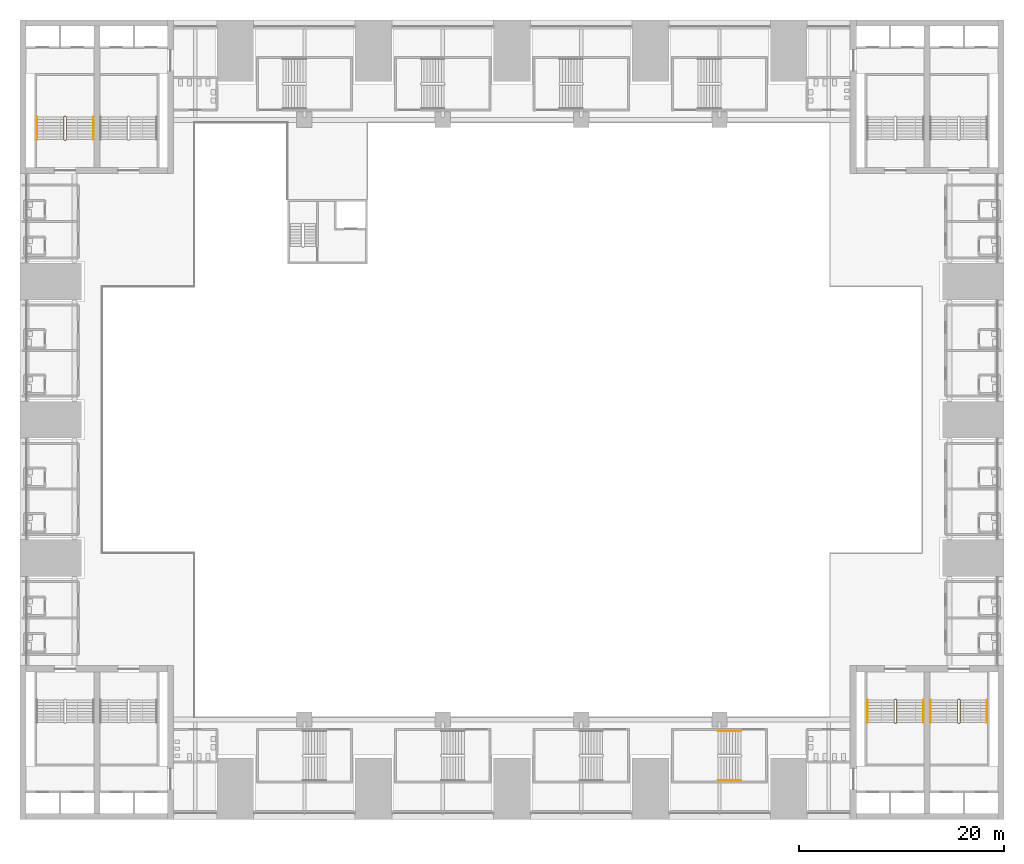
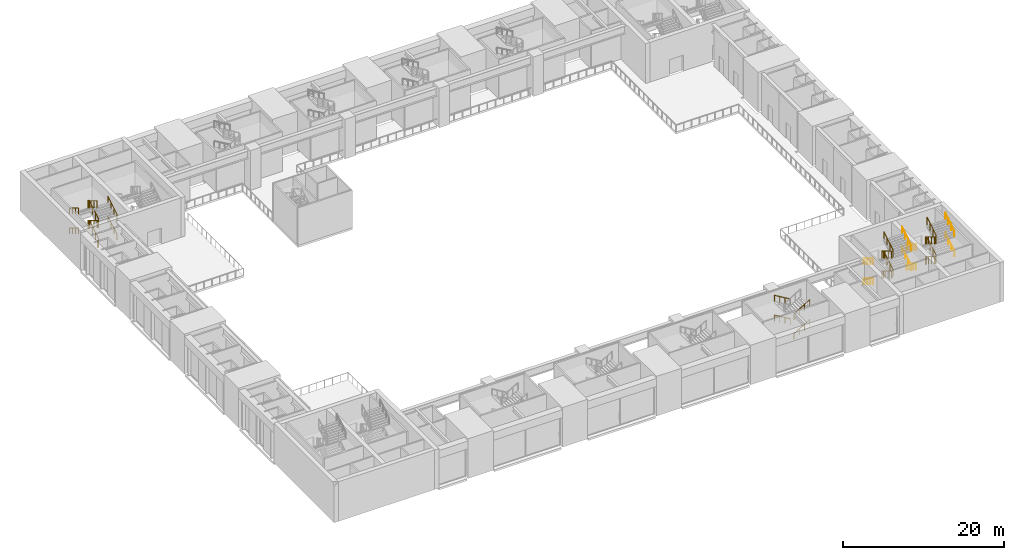
# One storey, part 40 of 43: 7 railings.
"""IFC4 building model written with IfcOpenShell, lengths in metres."""

import ifcopenshell
import ifcopenshell.guid

model = None  # the IFC model being written
_history = None  # IfcOwnerHistory: only IFC2X3 demands one
_inside = {}  # id of a spatial element -> (the spatial element, [elements in it])
_under = {}  # id of a project, library or spatial element -> (it, [spatial elements below it])
_declared = {}  # id of a project -> (the project, [libraries it declares])
_typed = {}  # id of a type object -> (the type object, [elements of that type])
_made_of = {}  # id of a material, layer set ... -> (it, [elements and type objects made of it])


def new_model(schema):
    """Start an empty IFC model of exactly this schema.

    Asked for "IFC4X3", IfcOpenShell would pick the latest addendum, in which some entities
    have other attributes; the version numbers below select the first issue.
    IFC2X3 requires an IfcOwnerHistory on every rooted entity: one is made here for all.
    """
    global model, _history
    if schema == "IFC4X3":
        model = ifcopenshell.file(schema_version=(4, 3, 0, 0))
    else:
        model = ifcopenshell.file(schema=schema)
    _inside.clear()
    _under.clear()
    _declared.clear()
    _typed.clear()
    _made_of.clear()
    _history = None
    if model.schema == "IFC2X3":
        org = make("IfcOrganization", Name="unknown")
        user = make(
            "IfcPersonAndOrganization",
            ThePerson=make("IfcPerson", FamilyName="unknown"),
            TheOrganization=org,
        )
        app = make(
            "IfcApplication",
            ApplicationDeveloper=org,
            Version="unknown",
            ApplicationFullName="unknown",
            ApplicationIdentifier="unknown",
        )
        _history = make(
            "IfcOwnerHistory",
            OwningUser=user,
            OwningApplication=app,
            ChangeAction="ADDED",
            CreationDate=0,
        )
    return model


def make(cls, **values):
    """One entity of the class cls with the attributes given. An attribute that is None is left unset."""
    return model.create_entity(
        cls, **{name: value for name, value in values.items() if value is not None}
    )


def rooted(cls, **values):
    """An entity with a GlobalId (a new one), such as an element, a storey or a relation."""
    return make(cls, GlobalId=ifcopenshell.guid.new(), OwnerHistory=_history, **values)


def si_unit(unit_type, name, prefix=None):
    """IfcSIUnit, for example si_unit("LENGTHUNIT", "METRE", prefix="MILLI")."""
    return make("IfcSIUnit", UnitType=unit_type, Prefix=prefix, Name=name)


def assignment(units):
    """IfcUnitAssignment: the units of a project."""
    return None if units is None else make("IfcUnitAssignment", Units=units)


def point(xyz):
    """IfcCartesianPoint."""
    return None if xyz is None else make("IfcCartesianPoint", Coordinates=xyz)


def direction(xyz):
    """IfcDirection."""
    return None if xyz is None else make("IfcDirection", DirectionRatios=xyz)


def frame(location, z_axis=None, x_axis=None):
    """IfcAxis2Placement3D, a coordinate frame: its origin and axes. An axis left out is left unset."""
    return make(
        "IfcAxis2Placement3D",
        Location=point(location),
        Axis=direction(z_axis),
        RefDirection=direction(x_axis),
    )


def frame_2d(location, x_axis=None):
    """IfcAxis2Placement2D, a coordinate frame in the plane: its origin and x axis."""
    return make(
        "IfcAxis2Placement2D", Location=point(location), RefDirection=direction(x_axis)
    )


def origin():
    """The frame at (0, 0, 0) with its axes left unset."""
    return frame((0.0, 0.0, 0.0))


def origin_2d():
    """The frame at (0, 0) in the plane with its x axis left unset."""
    return frame_2d((0.0, 0.0))


def place(relative_to, where):
    """IfcLocalPlacement: puts the frame where relative to a parent placement (None: the world)."""
    return make(
        "IfcLocalPlacement", PlacementRelTo=relative_to, RelativePlacement=where
    )


def context(
    kind, dimensions, precision=None, world=None, true_north=None, identifier=None
):
    """IfcGeometricRepresentationContext, for example the 3D "Model" context."""
    return make(
        "IfcGeometricRepresentationContext",
        ContextIdentifier=identifier,
        ContextType=kind,
        CoordinateSpaceDimension=dimensions,
        Precision=precision,
        WorldCoordinateSystem=world,
        TrueNorth=true_north,
    )


def subcontext(parent, identifier, kind, view, scale=None):
    """IfcGeometricRepresentationSubContext, for example "Body" below "Model"."""
    return make(
        "IfcGeometricRepresentationSubContext",
        ContextIdentifier=identifier,
        ContextType=kind,
        ParentContext=parent,
        TargetScale=scale,
        TargetView=view,
    )


def project(units=None, contexts=None):
    """IfcProject with its units and contexts."""
    return rooted(
        "IfcProject",
        Name="project",
        RepresentationContexts=contexts,
        UnitsInContext=assignment(units),
    )


def spatial(cls, under=None, at=None, **own):
    """A site, building, storey or space (cls), placed at a placement, below another one or the project."""
    s = rooted(cls, ObjectPlacement=at, **own)
    if under is not None:
        _under.setdefault(under.id(), (under, []))[1].append(s)
    return s


def profile(cls, at=None, kind="AREA", **sizes):
    """A parametric profile (cls). Its sizes go by their IFC names, for example OverallWidth=200.0."""
    return make(cls, ProfileType=kind, Position=at, **sizes)


def circle(**sizes):
    """IfcCircleProfileDef."""
    return profile("IfcCircleProfileDef", **sizes)


def extrude(swept, where, along, depth):
    """IfcExtrudedAreaSolid: the profile swept, set in the frame where, extruded along a direction by depth."""
    return make(
        "IfcExtrudedAreaSolid",
        SweptArea=swept,
        Position=where,
        ExtrudedDirection=direction(along),
        Depth=depth,
    )


def shape(context_of_items, identifier, shape_type, items):
    """IfcShapeRepresentation: the items that make up one representation, for example the "Body"."""
    return make(
        "IfcShapeRepresentation",
        ContextOfItems=context_of_items,
        RepresentationIdentifier=identifier,
        RepresentationType=shape_type,
        Items=items,
    )


def material(Name=None, Category=None):
    """IfcMaterial."""
    return make("IfcMaterial", Name=Name, Category=Category)


def made_of(thing, what):
    """Note that an element or type object is made of a material, layer set ...; save() writes the relation."""
    if what is not None:
        _made_of.setdefault(what.id(), (what, []))[1].append(thing)
    return thing


def type_object(cls, material=None, **own):
    """A type object (cls), such as IfcWallType, which elements share."""
    return made_of(rooted(cls, **own), material)


def element(
    cls,
    number,
    at=None,
    inside=None,
    cuts=None,
    type_object=None,
    material=None,
    context=None,
    identifier="Body",
    shape_type=None,
    held_by="IfcProductDefinitionShape",
    body=None,
    shapes=None,
    **own,
):
    """One element of the class cls, such as IfcWall. Its Tag is "e" and its number.

    at: its placement. inside: the storey or other place that contains it. cuts: it is an
    opening in that element (IfcRelVoidsElement). A single representation is given by context,
    identifier, shape_type and body (its items); several are given by shapes. held_by: the class
    of the entity that holds the representations. save() writes the other relations.
    """
    e = rooted(cls, Tag="e%d" % number, ObjectPlacement=at, **own)
    if body is not None:
        shapes = [shape(context, identifier, shape_type, body)]
    if shapes is not None:
        e.Representation = make(held_by, Representations=shapes)
    if inside is not None:
        _inside.setdefault(inside.id(), (inside, []))[1].append(e)
    if cuts is not None:
        rooted(
            "IfcRelVoidsElement", RelatingBuildingElement=cuts, RelatedOpeningElement=e
        )
    if type_object is not None:
        _typed.setdefault(type_object.id(), (type_object, []))[1].append(e)
    return made_of(e, material)


def aggregate(whole, parts):
    """IfcRelAggregates: a whole, such as a stair, and the parts it consists of."""
    return rooted("IfcRelAggregates", RelatingObject=whole, RelatedObjects=parts)


def save(model, path):
    """Write the relations noted so far, then the file.

    IfcRelAggregates (storeys below a building ...), IfcRelContainedInSpatialStructure (elements
    in a storey), IfcRelDefinesByType, IfcRelAssociatesMaterial and IfcRelDeclares: one each for
    every whole, place, type object, material and project.
    """
    for whole, parts in _under.values():
        aggregate(whole, parts)
    for where, things in _inside.values():
        rooted(
            "IfcRelContainedInSpatialStructure",
            RelatedElements=things,
            RelatingStructure=where,
        )
    for kind, things in _typed.values():
        rooted("IfcRelDefinesByType", RelatedObjects=things, RelatingType=kind)
    for what, things in _made_of.values():
        rooted("IfcRelAssociatesMaterial", RelatedObjects=things, RelatingMaterial=what)
    for by, libraries in _declared.values():
        rooted("IfcRelDeclares", RelatingContext=by, RelatedDefinitions=libraries)
    model.write(path)


model = new_model("IFC4")

# Units and contexts
model_context = context("Model", 3, precision=1e-05, world=origin(), true_north=direction((0.0, 1.0)))
body_context = subcontext(model_context, "Body", "Model", "MODEL_VIEW")
ifc_project = project(units=[si_unit("LENGTHUNIT", "METRE"), si_unit("AREAUNIT", "SQUARE_METRE"), si_unit("VOLUMEUNIT", "CUBIC_METRE"), si_unit("PLANEANGLEUNIT", "RADIAN"), si_unit("MASSUNIT", "GRAM", prefix="KILO")], contexts=[model_context])

# Site, building, storey
site_placement = place(None, origin())
site = spatial("IfcSite", under=ifc_project, at=site_placement, CompositionType="ELEMENT")
building_placement = place(site_placement, origin())
building = spatial("IfcBuilding", under=site, at=building_placement, Name="Corbelhall Arena Tower", CompositionType="ELEMENT")
storey_placement = place(building_placement, frame((0.0, 0.0, 25.0)))
storey = spatial("IfcBuildingStorey", under=building, at=storey_placement, Name="L03", CompositionType="ELEMENT", Elevation=25.0)

# Railings
ifc_material = material(Name="Stainless steel A4", Category="steel")
railing_type_1 = type_object("IfcRailingType", Name="AR-STAIR-GUARD", PredefinedType="GUARDRAIL", material=ifc_material)
railing_1_placement = place(storey_placement, frame((-43.469970703125, 27.320068359375, 0.166748046875)))
element("IfcRailing", 1, at=railing_1_placement, inside=storey, type_object=railing_type_1, Name="L03 AS4 stair guards", PredefinedType="GUARDRAIL", context=body_context, shape_type="SweptSolid", body=[
    extrude(circle(Radius=0.02392578125, at=origin_2d()), frame((0.0, 0.0, 1.076171875), z_axis=(0.0, 0.859305625298, 0.511462454469), x_axis=(-1.0, 0.0, 0.0)), (0.0, 0.0, 1.0), 2.606689453125),
    extrude(circle(Radius=0.02392578125, at=origin_2d()), frame((-0.050048828125, 2.2900390625, 2.4091796875), z_axis=(-1.0, 0.0, 0.0), x_axis=(0.0, -1.0, 0.0)), (0.0, 0.0, 1.0), 0.14990234375),
    extrude(circle(Radius=0.02392578125, at=origin_2d()), frame((-0.25, 2.239990234375, 2.576171875), z_axis=(0.0, -0.859305625298, 0.511462454469), x_axis=(1.0, 0.0, 0.0)), (0.0, 0.0, 1.0), 2.606689453125),
    extrude(circle(Radius=0.02392578125, at=origin_2d()), frame((-0.050048828125, -0.050048828125, 3.9091796875), z_axis=(-1.0, 0.0, 0.0), x_axis=(0.0, -1.0, 0.0)), (0.0, 0.0, 1.0), 0.14990234375),
    extrude(circle(Radius=0.02392578125, at=origin_2d()), frame((0.0, 0.0, 4.076171875), z_axis=(0.0, 0.859305625298, 0.511462454469), x_axis=(-1.0, 0.0, 0.0)), (0.0, 0.0, 1.0), 2.606689453125),
    extrude(circle(Radius=0.02392578125, at=origin_2d()), frame((-0.050048828125, 2.2900390625, 5.4091796875), z_axis=(-1.0, 0.0, 0.0), x_axis=(0.0, -1.0, 0.0)), (0.0, 0.0, 1.0), 0.14990234375),
    extrude(circle(Radius=0.02392578125, at=origin_2d()), frame((-0.25, 2.239990234375, 5.576171875), z_axis=(0.0, -0.859305625298, 0.511462454469), x_axis=(1.0, 0.0, 0.0)), (0.0, 0.0, 1.0), 2.606689453125),
    extrude(circle(Radius=0.02392578125, at=origin_2d()), frame((-0.050048828125, -0.050048828125, 0.9091796875), z_axis=(-1.0, 0.0, 0.0), x_axis=(0.0, -1.0, 0.0)), (0.0, 0.0, 1.0), 0.14990234375),
    extrude(circle(Radius=0.02099609375, at=origin_2d()), origin(), (0.0, 0.0, 1.0), 1.052001953125),
    extrude(circle(Radius=0.02099609375, at=origin_2d()), frame((0.0, 0.74658203125, 0.4443359375)), (0.0, 0.0, 1.0), 1.052001953125),
    extrude(circle(Radius=0.02099609375, at=origin_2d()), frame((0.0, 1.493408203125, 0.888916015625)), (0.0, 0.0, 1.0), 1.052001953125),
    extrude(circle(Radius=0.02099609375, at=origin_2d()), frame((0.0, 2.239990234375, 1.333251953125)), (0.0, 0.0, 1.0), 1.052001953125),
    extrude(circle(Radius=0.02099609375, at=origin_2d()), frame((-0.050048828125, 2.2900390625, 1.333251953125)), (0.0, 0.0, 1.0), 1.052001953125),
    extrude(circle(Radius=0.02099609375, at=origin_2d()), frame((-0.199951171875, 2.2900390625, 1.333251953125)), (0.0, 0.0, 1.0), 1.052001953125),
    extrude(circle(Radius=0.02099609375, at=origin_2d()), frame((-0.25, 2.239990234375, 1.5)), (0.0, 0.0, 1.0), 1.052001953125),
    extrude(circle(Radius=0.02099609375, at=origin_2d()), frame((-0.25, 1.493408203125, 1.9443359375)), (0.0, 0.0, 1.0), 1.052001953125),
    extrude(circle(Radius=0.02099609375, at=origin_2d()), frame((-0.25, 0.74658203125, 2.388916015625)), (0.0, 0.0, 1.0), 1.052001953125),
    extrude(circle(Radius=0.02099609375, at=origin_2d()), frame((-0.25, 0.0, 2.833251953125)), (0.0, 0.0, 1.0), 1.052001953125),
    extrude(circle(Radius=0.02099609375, at=origin_2d()), frame((-0.050048828125, -0.050048828125, 2.833251953125)), (0.0, 0.0, 1.0), 1.052001953125),
    extrude(circle(Radius=0.02099609375, at=origin_2d()), frame((-0.199951171875, -0.050048828125, 2.833251953125)), (0.0, 0.0, 1.0), 1.052001953125),
    extrude(circle(Radius=0.02099609375, at=origin_2d()), frame((0.0, 0.0, 3.0)), (0.0, 0.0, 1.0), 1.052001953125),
    extrude(circle(Radius=0.02099609375, at=origin_2d()), frame((0.0, 0.74658203125, 3.4443359375)), (0.0, 0.0, 1.0), 1.052001953125),
    extrude(circle(Radius=0.02099609375, at=origin_2d()), frame((0.0, 1.493408203125, 3.888916015625)), (0.0, 0.0, 1.0), 1.052001953125),
    extrude(circle(Radius=0.02099609375, at=origin_2d()), frame((0.0, 2.239990234375, 4.333251953125)), (0.0, 0.0, 1.0), 1.052001953125),
    extrude(circle(Radius=0.02099609375, at=origin_2d()), frame((-0.050048828125, 2.2900390625, 4.333251953125)), (0.0, 0.0, 1.0), 1.052001953125),
    extrude(circle(Radius=0.02099609375, at=origin_2d()), frame((-0.199951171875, 2.2900390625, 4.333251953125)), (0.0, 0.0, 1.0), 1.052001953125),
    extrude(circle(Radius=0.02099609375, at=origin_2d()), frame((-0.25, 2.239990234375, 4.5)), (0.0, 0.0, 1.0), 1.052001953125),
    extrude(circle(Radius=0.02099609375, at=origin_2d()), frame((-0.25, 1.493408203125, 4.9443359375)), (0.0, 0.0, 1.0), 1.052001953125),
    extrude(circle(Radius=0.02099609375, at=origin_2d()), frame((-0.25, 0.74658203125, 5.388916015625)), (0.0, 0.0, 1.0), 1.052001953125),
    extrude(circle(Radius=0.02099609375, at=origin_2d()), frame((-0.25, 0.0, 5.833251953125)), (0.0, 0.0, 1.0), 1.052001953125),
    extrude(circle(Radius=0.02099609375, at=origin_2d()), frame((-0.050048828125, -0.050048828125, -0.166748046875)), (0.0, 0.0, 1.0), 1.052001953125),
    extrude(circle(Radius=0.02099609375, at=origin_2d()), frame((-0.199951171875, -0.050048828125, -0.166748046875)), (0.0, 0.0, 1.0), 1.052001953125),
])
railing_2_placement = place(storey_placement, frame((37.280029296875, -27.320068359375, 0.166748046875)))
element("IfcRailing", 2, at=railing_2_placement, inside=storey, type_object=railing_type_1, Name="L03 AS5 stair guards", PredefinedType="GUARDRAIL", context=body_context, shape_type="SweptSolid", body=[
    extrude(circle(Radius=0.02392578125, at=origin_2d()), frame((0.0, 0.0, 1.076171875), z_axis=(0.0, -0.859305625298, 0.511462454469), x_axis=(1.0, 0.0, 0.0)), (0.0, 0.0, 1.0), 2.606689453125),
    extrude(circle(Radius=0.02392578125, at=origin_2d()), frame((0.050048828125, -2.2900390625, 2.4091796875), z_axis=(1.0, 0.0, 0.0), x_axis=(0.0, 1.0, 0.0)), (0.0, 0.0, 1.0), 0.14990234375),
    extrude(circle(Radius=0.02392578125, at=origin_2d()), frame((0.25, -2.239990234375, 2.576171875), z_axis=(0.0, 0.859305625298, 0.511462454469), x_axis=(-1.0, 0.0, 0.0)), (0.0, 0.0, 1.0), 2.606689453125),
    extrude(circle(Radius=0.02392578125, at=origin_2d()), frame((0.050048828125, 0.050048828125, 3.9091796875), z_axis=(1.0, 0.0, 0.0), x_axis=(0.0, 1.0, 0.0)), (0.0, 0.0, 1.0), 0.14990234375),
    extrude(circle(Radius=0.02392578125, at=origin_2d()), frame((0.0, 0.0, 4.076171875), z_axis=(0.0, -0.859305625298, 0.511462454469), x_axis=(1.0, 0.0, 0.0)), (0.0, 0.0, 1.0), 2.606689453125),
    extrude(circle(Radius=0.02392578125, at=origin_2d()), frame((0.050048828125, -2.2900390625, 5.4091796875), z_axis=(1.0, 0.0, 0.0), x_axis=(0.0, 1.0, 0.0)), (0.0, 0.0, 1.0), 0.14990234375),
    extrude(circle(Radius=0.02392578125, at=origin_2d()), frame((0.25, -2.239990234375, 5.576171875), z_axis=(0.0, 0.859305625298, 0.511462454469), x_axis=(-1.0, 0.0, 0.0)), (0.0, 0.0, 1.0), 2.606689453125),
    extrude(circle(Radius=0.02392578125, at=origin_2d()), frame((0.050048828125, 0.050048828125, 0.9091796875), z_axis=(1.0, 0.0, 0.0), x_axis=(0.0, 1.0, 0.0)), (0.0, 0.0, 1.0), 0.14990234375),
    extrude(circle(Radius=0.02099609375, at=origin_2d()), origin(), (0.0, 0.0, 1.0), 1.052001953125),
    extrude(circle(Radius=0.02099609375, at=origin_2d()), frame((0.0, -0.74658203125, 0.4443359375)), (0.0, 0.0, 1.0), 1.052001953125),
    extrude(circle(Radius=0.02099609375, at=origin_2d()), frame((0.0, -1.493408203125, 0.888916015625)), (0.0, 0.0, 1.0), 1.052001953125),
    extrude(circle(Radius=0.02099609375, at=origin_2d()), frame((0.0, -2.239990234375, 1.333251953125)), (0.0, 0.0, 1.0), 1.052001953125),
    extrude(circle(Radius=0.02099609375, at=origin_2d()), frame((0.050048828125, -2.2900390625, 1.333251953125)), (0.0, 0.0, 1.0), 1.052001953125),
    extrude(circle(Radius=0.02099609375, at=origin_2d()), frame((0.199951171875, -2.2900390625, 1.333251953125)), (0.0, 0.0, 1.0), 1.052001953125),
    extrude(circle(Radius=0.02099609375, at=origin_2d()), frame((0.25, -2.239990234375, 1.5)), (0.0, 0.0, 1.0), 1.052001953125),
    extrude(circle(Radius=0.02099609375, at=origin_2d()), frame((0.25, -1.493408203125, 1.9443359375)), (0.0, 0.0, 1.0), 1.052001953125),
    extrude(circle(Radius=0.02099609375, at=origin_2d()), frame((0.25, -0.74658203125, 2.388916015625)), (0.0, 0.0, 1.0), 1.052001953125),
    extrude(circle(Radius=0.02099609375, at=origin_2d()), frame((0.25, 0.0, 2.833251953125)), (0.0, 0.0, 1.0), 1.052001953125),
    extrude(circle(Radius=0.02099609375, at=origin_2d()), frame((0.050048828125, 0.050048828125, 2.833251953125)), (0.0, 0.0, 1.0), 1.052001953125),
    extrude(circle(Radius=0.02099609375, at=origin_2d()), frame((0.199951171875, 0.050048828125, 2.833251953125)), (0.0, 0.0, 1.0), 1.052001953125),
    extrude(circle(Radius=0.02099609375, at=origin_2d()), frame((0.0, 0.0, 3.0)), (0.0, 0.0, 1.0), 1.052001953125),
    extrude(circle(Radius=0.02099609375, at=origin_2d()), frame((0.0, -0.74658203125, 3.4443359375)), (0.0, 0.0, 1.0), 1.052001953125),
    extrude(circle(Radius=0.02099609375, at=origin_2d()), frame((0.0, -1.493408203125, 3.888916015625)), (0.0, 0.0, 1.0), 1.052001953125),
    extrude(circle(Radius=0.02099609375, at=origin_2d()), frame((0.0, -2.239990234375, 4.333251953125)), (0.0, 0.0, 1.0), 1.052001953125),
    extrude(circle(Radius=0.02099609375, at=origin_2d()), frame((0.050048828125, -2.2900390625, 4.333251953125)), (0.0, 0.0, 1.0), 1.052001953125),
    extrude(circle(Radius=0.02099609375, at=origin_2d()), frame((0.199951171875, -2.2900390625, 4.333251953125)), (0.0, 0.0, 1.0), 1.052001953125),
    extrude(circle(Radius=0.02099609375, at=origin_2d()), frame((0.25, -2.239990234375, 4.5)), (0.0, 0.0, 1.0), 1.052001953125),
    extrude(circle(Radius=0.02099609375, at=origin_2d()), frame((0.25, -1.493408203125, 4.9443359375)), (0.0, 0.0, 1.0), 1.052001953125),
    extrude(circle(Radius=0.02099609375, at=origin_2d()), frame((0.25, -0.74658203125, 5.388916015625)), (0.0, 0.0, 1.0), 1.052001953125),
    extrude(circle(Radius=0.02099609375, at=origin_2d()), frame((0.25, 0.0, 5.833251953125)), (0.0, 0.0, 1.0), 1.052001953125),
    extrude(circle(Radius=0.02099609375, at=origin_2d()), frame((0.050048828125, 0.050048828125, -0.166748046875)), (0.0, 0.0, 1.0), 1.052001953125),
    extrude(circle(Radius=0.02099609375, at=origin_2d()), frame((0.199951171875, 0.050048828125, -0.166748046875)), (0.0, 0.0, 1.0), 1.052001953125),
])
railing_3_placement = place(storey_placement, frame((43.469970703125, -27.320068359375, 0.166748046875)))
element("IfcRailing", 3, at=railing_3_placement, inside=storey, type_object=railing_type_1, Name="L03 AS6 stair guards", PredefinedType="GUARDRAIL", context=body_context, shape_type="SweptSolid", body=[
    extrude(circle(Radius=0.02392578125, at=origin_2d()), frame((0.0, 0.0, 1.076171875), z_axis=(0.0, -0.859305625298, 0.511462454469), x_axis=(1.0, 0.0, 0.0)), (0.0, 0.0, 1.0), 2.606689453125),
    extrude(circle(Radius=0.02392578125, at=origin_2d()), frame((0.050048828125, -2.2900390625, 2.4091796875), z_axis=(1.0, 0.0, 0.0), x_axis=(0.0, 1.0, 0.0)), (0.0, 0.0, 1.0), 0.14990234375),
    extrude(circle(Radius=0.02392578125, at=origin_2d()), frame((0.25, -2.239990234375, 2.576171875), z_axis=(0.0, 0.859305625298, 0.511462454469), x_axis=(-1.0, 0.0, 0.0)), (0.0, 0.0, 1.0), 2.606689453125),
    extrude(circle(Radius=0.02392578125, at=origin_2d()), frame((0.050048828125, 0.050048828125, 3.9091796875), z_axis=(1.0, 0.0, 0.0), x_axis=(0.0, 1.0, 0.0)), (0.0, 0.0, 1.0), 0.14990234375),
    extrude(circle(Radius=0.02392578125, at=origin_2d()), frame((0.0, 0.0, 4.076171875), z_axis=(0.0, -0.859305625298, 0.511462454469), x_axis=(1.0, 0.0, 0.0)), (0.0, 0.0, 1.0), 2.606689453125),
    extrude(circle(Radius=0.02392578125, at=origin_2d()), frame((0.050048828125, -2.2900390625, 5.4091796875), z_axis=(1.0, 0.0, 0.0), x_axis=(0.0, 1.0, 0.0)), (0.0, 0.0, 1.0), 0.14990234375),
    extrude(circle(Radius=0.02392578125, at=origin_2d()), frame((0.25, -2.239990234375, 5.576171875), z_axis=(0.0, 0.859305625298, 0.511462454469), x_axis=(-1.0, 0.0, 0.0)), (0.0, 0.0, 1.0), 2.606689453125),
    extrude(circle(Radius=0.02392578125, at=origin_2d()), frame((0.050048828125, 0.050048828125, 0.9091796875), z_axis=(1.0, 0.0, 0.0), x_axis=(0.0, 1.0, 0.0)), (0.0, 0.0, 1.0), 0.14990234375),
    extrude(circle(Radius=0.02099609375, at=origin_2d()), origin(), (0.0, 0.0, 1.0), 1.052001953125),
    extrude(circle(Radius=0.02099609375, at=origin_2d()), frame((0.0, -0.74658203125, 0.4443359375)), (0.0, 0.0, 1.0), 1.052001953125),
    extrude(circle(Radius=0.02099609375, at=origin_2d()), frame((0.0, -1.493408203125, 0.888916015625)), (0.0, 0.0, 1.0), 1.052001953125),
    extrude(circle(Radius=0.02099609375, at=origin_2d()), frame((0.0, -2.239990234375, 1.333251953125)), (0.0, 0.0, 1.0), 1.052001953125),
    extrude(circle(Radius=0.02099609375, at=origin_2d()), frame((0.050048828125, -2.2900390625, 1.333251953125)), (0.0, 0.0, 1.0), 1.052001953125),
    extrude(circle(Radius=0.02099609375, at=origin_2d()), frame((0.199951171875, -2.2900390625, 1.333251953125)), (0.0, 0.0, 1.0), 1.052001953125),
    extrude(circle(Radius=0.02099609375, at=origin_2d()), frame((0.25, -2.239990234375, 1.5)), (0.0, 0.0, 1.0), 1.052001953125),
    extrude(circle(Radius=0.02099609375, at=origin_2d()), frame((0.25, -1.493408203125, 1.9443359375)), (0.0, 0.0, 1.0), 1.052001953125),
    extrude(circle(Radius=0.02099609375, at=origin_2d()), frame((0.25, -0.74658203125, 2.388916015625)), (0.0, 0.0, 1.0), 1.052001953125),
    extrude(circle(Radius=0.02099609375, at=origin_2d()), frame((0.25, 0.0, 2.833251953125)), (0.0, 0.0, 1.0), 1.052001953125),
    extrude(circle(Radius=0.02099609375, at=origin_2d()), frame((0.050048828125, 0.050048828125, 2.833251953125)), (0.0, 0.0, 1.0), 1.052001953125),
    extrude(circle(Radius=0.02099609375, at=origin_2d()), frame((0.199951171875, 0.050048828125, 2.833251953125)), (0.0, 0.0, 1.0), 1.052001953125),
    extrude(circle(Radius=0.02099609375, at=origin_2d()), frame((0.0, 0.0, 3.0)), (0.0, 0.0, 1.0), 1.052001953125),
    extrude(circle(Radius=0.02099609375, at=origin_2d()), frame((0.0, -0.74658203125, 3.4443359375)), (0.0, 0.0, 1.0), 1.052001953125),
    extrude(circle(Radius=0.02099609375, at=origin_2d()), frame((0.0, -1.493408203125, 3.888916015625)), (0.0, 0.0, 1.0), 1.052001953125),
    extrude(circle(Radius=0.02099609375, at=origin_2d()), frame((0.0, -2.239990234375, 4.333251953125)), (0.0, 0.0, 1.0), 1.052001953125),
    extrude(circle(Radius=0.02099609375, at=origin_2d()), frame((0.050048828125, -2.2900390625, 4.333251953125)), (0.0, 0.0, 1.0), 1.052001953125),
    extrude(circle(Radius=0.02099609375, at=origin_2d()), frame((0.199951171875, -2.2900390625, 4.333251953125)), (0.0, 0.0, 1.0), 1.052001953125),
    extrude(circle(Radius=0.02099609375, at=origin_2d()), frame((0.25, -2.239990234375, 4.5)), (0.0, 0.0, 1.0), 1.052001953125),
    extrude(circle(Radius=0.02099609375, at=origin_2d()), frame((0.25, -1.493408203125, 4.9443359375)), (0.0, 0.0, 1.0), 1.052001953125),
    extrude(circle(Radius=0.02099609375, at=origin_2d()), frame((0.25, -0.74658203125, 5.388916015625)), (0.0, 0.0, 1.0), 1.052001953125),
    extrude(circle(Radius=0.02099609375, at=origin_2d()), frame((0.25, 0.0, 5.833251953125)), (0.0, 0.0, 1.0), 1.052001953125),
    extrude(circle(Radius=0.02099609375, at=origin_2d()), frame((0.050048828125, 0.050048828125, -0.166748046875)), (0.0, 0.0, 1.0), 1.052001953125),
    extrude(circle(Radius=0.02099609375, at=origin_2d()), frame((0.199951171875, 0.050048828125, -0.166748046875)), (0.0, 0.0, 1.0), 1.052001953125),
])
railing_type_2 = type_object("IfcRailingType", Name="AR-STAIR-HANDRAIL", PredefinedType="HANDRAIL", material=ifc_material)
railing_4_placement = place(storey_placement, frame((22.35009765625, -30.35009765625, 0.166748046875)))
element("IfcRailing", 4, at=railing_4_placement, inside=storey, type_object=railing_type_2, Name="L03 AS16 stair handrails", PredefinedType="HANDRAIL", context=body_context, shape_type="SweptSolid", body=[
    extrude(circle(Radius=0.02392578125, at=origin_2d()), frame((0.0, 0.0, 0.8759765625), z_axis=(-0.859305625298, 0.0, 0.511462454469), x_axis=(0.0, -1.0, 0.0)), (0.0, 0.0, 1.0), 2.606689453125),
    extrude(circle(Radius=0.02392578125, at=origin_2d()), frame((-2.239990234375, -4.849853515625, 2.3759765625), z_axis=(0.859305625298, 0.0, 0.511462454469), x_axis=(0.0, 1.0, 0.0)), (0.0, 0.0, 1.0), 2.606689453125),
    extrude(circle(Radius=0.02392578125, at=origin_2d()), frame((0.0, 0.0, 3.8759765625), z_axis=(-0.859305625298, 0.0, 0.511462454469), x_axis=(0.0, -1.0, 0.0)), (0.0, 0.0, 1.0), 2.606689453125),
    extrude(circle(Radius=0.02392578125, at=origin_2d()), frame((-2.239990234375, -4.849853515625, 5.3759765625), z_axis=(0.859305625298, 0.0, 0.511462454469), x_axis=(0.0, 1.0, 0.0)), (0.0, 0.0, 1.0), 2.606689453125),
    extrude(circle(Radius=0.02099609375, at=origin_2d()), origin(), (0.0, 0.0, 1.0), 0.851806640625),
    extrude(circle(Radius=0.02099609375, at=origin_2d()), frame((-0.74658203125, 0.0, 0.4443359375)), (0.0, 0.0, 1.0), 0.851806640625),
    extrude(circle(Radius=0.02099609375, at=origin_2d()), frame((-1.493408203125, 0.0, 0.888916015625)), (0.0, 0.0, 1.0), 0.851806640625),
    extrude(circle(Radius=0.02099609375, at=origin_2d()), frame((-2.239990234375, 0.0, 1.333251953125)), (0.0, 0.0, 1.0), 0.851806640625),
    extrude(circle(Radius=0.02099609375, at=origin_2d()), frame((-2.239990234375, -4.849853515625, 1.5)), (0.0, 0.0, 1.0), 0.851806640625),
    extrude(circle(Radius=0.02099609375, at=origin_2d()), frame((-1.493408203125, -4.849853515625, 1.9443359375)), (0.0, 0.0, 1.0), 0.851806640625),
    extrude(circle(Radius=0.02099609375, at=origin_2d()), frame((-0.74658203125, -4.849853515625, 2.388916015625)), (0.0, 0.0, 1.0), 0.851806640625),
    extrude(circle(Radius=0.02099609375, at=origin_2d()), frame((0.0, -4.849853515625, 2.833251953125)), (0.0, 0.0, 1.0), 0.851806640625),
    extrude(circle(Radius=0.02099609375, at=origin_2d()), frame((0.0, 0.0, 3.0)), (0.0, 0.0, 1.0), 0.851806640625),
    extrude(circle(Radius=0.02099609375, at=origin_2d()), frame((-0.74658203125, 0.0, 3.4443359375)), (0.0, 0.0, 1.0), 0.851806640625),
    extrude(circle(Radius=0.02099609375, at=origin_2d()), frame((-1.493408203125, 0.0, 3.888916015625)), (0.0, 0.0, 1.0), 0.851806640625),
    extrude(circle(Radius=0.02099609375, at=origin_2d()), frame((-2.239990234375, 0.0, 4.333251953125)), (0.0, 0.0, 1.0), 0.851806640625),
    extrude(circle(Radius=0.02099609375, at=origin_2d()), frame((-2.239990234375, -4.849853515625, 4.5)), (0.0, 0.0, 1.0), 0.851806640625),
    extrude(circle(Radius=0.02099609375, at=origin_2d()), frame((-1.493408203125, -4.849853515625, 4.9443359375)), (0.0, 0.0, 1.0), 0.851806640625),
    extrude(circle(Radius=0.02099609375, at=origin_2d()), frame((-0.74658203125, -4.849853515625, 5.388916015625)), (0.0, 0.0, 1.0), 0.851806640625),
    extrude(circle(Radius=0.02099609375, at=origin_2d()), frame((0.0, -4.849853515625, 5.833251953125)), (0.0, 0.0, 1.0), 0.851806640625),
])
railing_5_placement = place(storey_placement, frame((-40.85009765625, 27.320068359375, 0.166748046875)))
element("IfcRailing", 5, at=railing_5_placement, inside=storey, type_object=railing_type_2, Name="L03 AS4 stair handrails", PredefinedType="HANDRAIL", context=body_context, shape_type="SweptSolid", body=[
    extrude(circle(Radius=0.02392578125, at=origin_2d()), frame((0.0, 0.0, 0.8759765625), z_axis=(0.0, 0.859305625298, 0.511462454469), x_axis=(-1.0, 0.0, 0.0)), (0.0, 0.0, 1.0), 2.606689453125),
    extrude(circle(Radius=0.02392578125, at=origin_2d()), frame((-5.489990234375, 2.239990234375, 2.3759765625), z_axis=(0.0, -0.859305625298, 0.511462454469), x_axis=(1.0, 0.0, 0.0)), (0.0, 0.0, 1.0), 2.606689453125),
    extrude(circle(Radius=0.02392578125, at=origin_2d()), frame((0.0, 0.0, 3.8759765625), z_axis=(0.0, 0.859305625298, 0.511462454469), x_axis=(-1.0, 0.0, 0.0)), (0.0, 0.0, 1.0), 2.606689453125),
    extrude(circle(Radius=0.02392578125, at=origin_2d()), frame((-5.489990234375, 2.239990234375, 5.3759765625), z_axis=(0.0, -0.859305625298, 0.511462454469), x_axis=(1.0, 0.0, 0.0)), (0.0, 0.0, 1.0), 2.606689453125),
    extrude(circle(Radius=0.02099609375, at=origin_2d()), origin(), (0.0, 0.0, 1.0), 0.851806640625),
    extrude(circle(Radius=0.02099609375, at=origin_2d()), frame((0.0, 0.74658203125, 0.4443359375)), (0.0, 0.0, 1.0), 0.851806640625),
    extrude(circle(Radius=0.02099609375, at=origin_2d()), frame((0.0, 1.493408203125, 0.888916015625)), (0.0, 0.0, 1.0), 0.851806640625),
    extrude(circle(Radius=0.02099609375, at=origin_2d()), frame((0.0, 2.239990234375, 1.333251953125)), (0.0, 0.0, 1.0), 0.851806640625),
    extrude(circle(Radius=0.02099609375, at=origin_2d()), frame((-5.489990234375, 2.239990234375, 1.5)), (0.0, 0.0, 1.0), 0.851806640625),
    extrude(circle(Radius=0.02099609375, at=origin_2d()), frame((-5.489990234375, 1.493408203125, 1.9443359375)), (0.0, 0.0, 1.0), 0.851806640625),
    extrude(circle(Radius=0.02099609375, at=origin_2d()), frame((-5.489990234375, 0.74658203125, 2.388916015625)), (0.0, 0.0, 1.0), 0.851806640625),
    extrude(circle(Radius=0.02099609375, at=origin_2d()), frame((-5.489990234375, 0.0, 2.833251953125)), (0.0, 0.0, 1.0), 0.851806640625),
    extrude(circle(Radius=0.02099609375, at=origin_2d()), frame((0.0, 0.0, 3.0)), (0.0, 0.0, 1.0), 0.851806640625),
    extrude(circle(Radius=0.02099609375, at=origin_2d()), frame((0.0, 0.74658203125, 3.4443359375)), (0.0, 0.0, 1.0), 0.851806640625),
    extrude(circle(Radius=0.02099609375, at=origin_2d()), frame((0.0, 1.493408203125, 3.888916015625)), (0.0, 0.0, 1.0), 0.851806640625),
    extrude(circle(Radius=0.02099609375, at=origin_2d()), frame((0.0, 2.239990234375, 4.333251953125)), (0.0, 0.0, 1.0), 0.851806640625),
    extrude(circle(Radius=0.02099609375, at=origin_2d()), frame((-5.489990234375, 2.239990234375, 4.5)), (0.0, 0.0, 1.0), 0.851806640625),
    extrude(circle(Radius=0.02099609375, at=origin_2d()), frame((-5.489990234375, 1.493408203125, 4.9443359375)), (0.0, 0.0, 1.0), 0.851806640625),
    extrude(circle(Radius=0.02099609375, at=origin_2d()), frame((-5.489990234375, 0.74658203125, 5.388916015625)), (0.0, 0.0, 1.0), 0.851806640625),
    extrude(circle(Radius=0.02099609375, at=origin_2d()), frame((-5.489990234375, 0.0, 5.833251953125)), (0.0, 0.0, 1.0), 0.851806640625),
])
railing_6_placement = place(storey_placement, frame((34.659912109375, -27.320068359375, 0.166748046875)))
element("IfcRailing", 6, at=railing_6_placement, inside=storey, type_object=railing_type_2, Name="L03 AS5 stair handrails", PredefinedType="HANDRAIL", context=body_context, shape_type="SweptSolid", body=[
    extrude(circle(Radius=0.02392578125, at=origin_2d()), frame((0.0, 0.0, 0.8759765625), z_axis=(0.0, -0.859305625298, 0.511462454469), x_axis=(1.0, 0.0, 0.0)), (0.0, 0.0, 1.0), 2.606689453125),
    extrude(circle(Radius=0.02392578125, at=origin_2d()), frame((5.489990234375, -2.239990234375, 2.3759765625), z_axis=(0.0, 0.859305625298, 0.511462454469), x_axis=(-1.0, 0.0, 0.0)), (0.0, 0.0, 1.0), 2.606689453125),
    extrude(circle(Radius=0.02392578125, at=origin_2d()), frame((0.0, 0.0, 3.8759765625), z_axis=(0.0, -0.859305625298, 0.511462454469), x_axis=(1.0, 0.0, 0.0)), (0.0, 0.0, 1.0), 2.606689453125),
    extrude(circle(Radius=0.02392578125, at=origin_2d()), frame((5.489990234375, -2.239990234375, 5.3759765625), z_axis=(0.0, 0.859305625298, 0.511462454469), x_axis=(-1.0, 0.0, 0.0)), (0.0, 0.0, 1.0), 2.606689453125),
    extrude(circle(Radius=0.02099609375, at=origin_2d()), origin(), (0.0, 0.0, 1.0), 0.851806640625),
    extrude(circle(Radius=0.02099609375, at=origin_2d()), frame((0.0, -0.74658203125, 0.4443359375)), (0.0, 0.0, 1.0), 0.851806640625),
    extrude(circle(Radius=0.02099609375, at=origin_2d()), frame((0.0, -1.493408203125, 0.888916015625)), (0.0, 0.0, 1.0), 0.851806640625),
    extrude(circle(Radius=0.02099609375, at=origin_2d()), frame((0.0, -2.239990234375, 1.333251953125)), (0.0, 0.0, 1.0), 0.851806640625),
    extrude(circle(Radius=0.02099609375, at=origin_2d()), frame((5.489990234375, -2.239990234375, 1.5)), (0.0, 0.0, 1.0), 0.851806640625),
    extrude(circle(Radius=0.02099609375, at=origin_2d()), frame((5.489990234375, -1.493408203125, 1.9443359375)), (0.0, 0.0, 1.0), 0.851806640625),
    extrude(circle(Radius=0.02099609375, at=origin_2d()), frame((5.489990234375, -0.74658203125, 2.388916015625)), (0.0, 0.0, 1.0), 0.851806640625),
    extrude(circle(Radius=0.02099609375, at=origin_2d()), frame((5.489990234375, 0.0, 2.833251953125)), (0.0, 0.0, 1.0), 0.851806640625),
    extrude(circle(Radius=0.02099609375, at=origin_2d()), frame((0.0, 0.0, 3.0)), (0.0, 0.0, 1.0), 0.851806640625),
    extrude(circle(Radius=0.02099609375, at=origin_2d()), frame((0.0, -0.74658203125, 3.4443359375)), (0.0, 0.0, 1.0), 0.851806640625),
    extrude(circle(Radius=0.02099609375, at=origin_2d()), frame((0.0, -1.493408203125, 3.888916015625)), (0.0, 0.0, 1.0), 0.851806640625),
    extrude(circle(Radius=0.02099609375, at=origin_2d()), frame((0.0, -2.239990234375, 4.333251953125)), (0.0, 0.0, 1.0), 0.851806640625),
    extrude(circle(Radius=0.02099609375, at=origin_2d()), frame((5.489990234375, -2.239990234375, 4.5)), (0.0, 0.0, 1.0), 0.851806640625),
    extrude(circle(Radius=0.02099609375, at=origin_2d()), frame((5.489990234375, -1.493408203125, 4.9443359375)), (0.0, 0.0, 1.0), 0.851806640625),
    extrude(circle(Radius=0.02099609375, at=origin_2d()), frame((5.489990234375, -0.74658203125, 5.388916015625)), (0.0, 0.0, 1.0), 0.851806640625),
    extrude(circle(Radius=0.02099609375, at=origin_2d()), frame((5.489990234375, 0.0, 5.833251953125)), (0.0, 0.0, 1.0), 0.851806640625),
])
railing_7_placement = place(storey_placement, frame((40.85009765625, -27.320068359375, 0.166748046875)))
element("IfcRailing", 7, at=railing_7_placement, inside=storey, type_object=railing_type_2, Name="L03 AS6 stair handrails", PredefinedType="HANDRAIL", context=body_context, shape_type="SweptSolid", body=[
    extrude(circle(Radius=0.02392578125, at=origin_2d()), frame((0.0, 0.0, 0.8759765625), z_axis=(0.0, -0.859305625298, 0.511462454469), x_axis=(1.0, 0.0, 0.0)), (0.0, 0.0, 1.0), 2.606689453125),
    extrude(circle(Radius=0.02392578125, at=origin_2d()), frame((5.489990234375, -2.239990234375, 2.3759765625), z_axis=(0.0, 0.859305625298, 0.511462454469), x_axis=(-1.0, 0.0, 0.0)), (0.0, 0.0, 1.0), 2.606689453125),
    extrude(circle(Radius=0.02392578125, at=origin_2d()), frame((0.0, 0.0, 3.8759765625), z_axis=(0.0, -0.859305625298, 0.511462454469), x_axis=(1.0, 0.0, 0.0)), (0.0, 0.0, 1.0), 2.606689453125),
    extrude(circle(Radius=0.02392578125, at=origin_2d()), frame((5.489990234375, -2.239990234375, 5.3759765625), z_axis=(0.0, 0.859305625298, 0.511462454469), x_axis=(-1.0, 0.0, 0.0)), (0.0, 0.0, 1.0), 2.606689453125),
    extrude(circle(Radius=0.02099609375, at=origin_2d()), origin(), (0.0, 0.0, 1.0), 0.851806640625),
    extrude(circle(Radius=0.02099609375, at=origin_2d()), frame((0.0, -0.74658203125, 0.4443359375)), (0.0, 0.0, 1.0), 0.851806640625),
    extrude(circle(Radius=0.02099609375, at=origin_2d()), frame((0.0, -1.493408203125, 0.888916015625)), (0.0, 0.0, 1.0), 0.851806640625),
    extrude(circle(Radius=0.02099609375, at=origin_2d()), frame((0.0, -2.239990234375, 1.333251953125)), (0.0, 0.0, 1.0), 0.851806640625),
    extrude(circle(Radius=0.02099609375, at=origin_2d()), frame((5.489990234375, -2.239990234375, 1.5)), (0.0, 0.0, 1.0), 0.851806640625),
    extrude(circle(Radius=0.02099609375, at=origin_2d()), frame((5.489990234375, -1.493408203125, 1.9443359375)), (0.0, 0.0, 1.0), 0.851806640625),
    extrude(circle(Radius=0.02099609375, at=origin_2d()), frame((5.489990234375, -0.74658203125, 2.388916015625)), (0.0, 0.0, 1.0), 0.851806640625),
    extrude(circle(Radius=0.02099609375, at=origin_2d()), frame((5.489990234375, 0.0, 2.833251953125)), (0.0, 0.0, 1.0), 0.851806640625),
    extrude(circle(Radius=0.02099609375, at=origin_2d()), frame((0.0, 0.0, 3.0)), (0.0, 0.0, 1.0), 0.851806640625),
    extrude(circle(Radius=0.02099609375, at=origin_2d()), frame((0.0, -0.74658203125, 3.4443359375)), (0.0, 0.0, 1.0), 0.851806640625),
    extrude(circle(Radius=0.02099609375, at=origin_2d()), frame((0.0, -1.493408203125, 3.888916015625)), (0.0, 0.0, 1.0), 0.851806640625),
    extrude(circle(Radius=0.02099609375, at=origin_2d()), frame((0.0, -2.239990234375, 4.333251953125)), (0.0, 0.0, 1.0), 0.851806640625),
    extrude(circle(Radius=0.02099609375, at=origin_2d()), frame((5.489990234375, -2.239990234375, 4.5)), (0.0, 0.0, 1.0), 0.851806640625),
    extrude(circle(Radius=0.02099609375, at=origin_2d()), frame((5.489990234375, -1.493408203125, 4.9443359375)), (0.0, 0.0, 1.0), 0.851806640625),
    extrude(circle(Radius=0.02099609375, at=origin_2d()), frame((5.489990234375, -0.74658203125, 5.388916015625)), (0.0, 0.0, 1.0), 0.851806640625),
    extrude(circle(Radius=0.02099609375, at=origin_2d()), frame((5.489990234375, 0.0, 5.833251953125)), (0.0, 0.0, 1.0), 0.851806640625),
])

save(model, "model.ifc")
